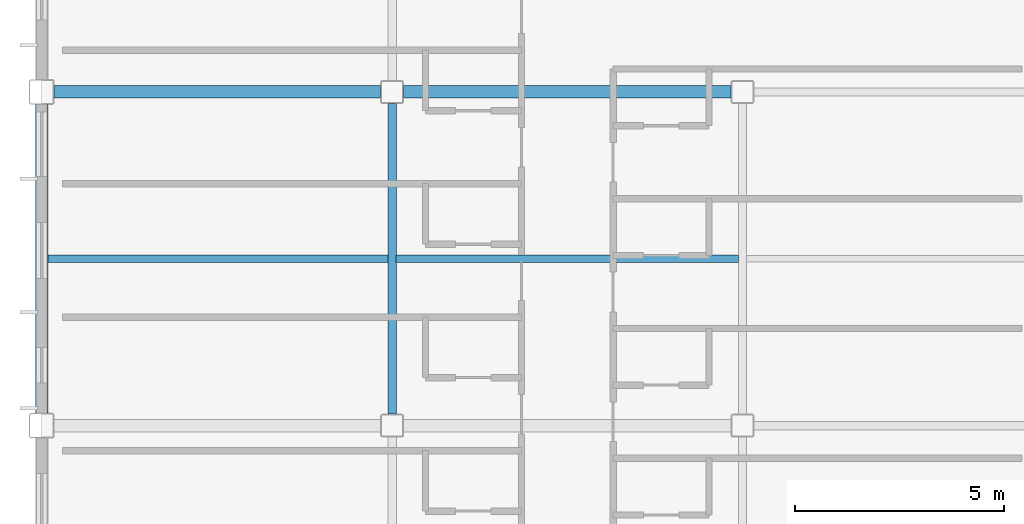
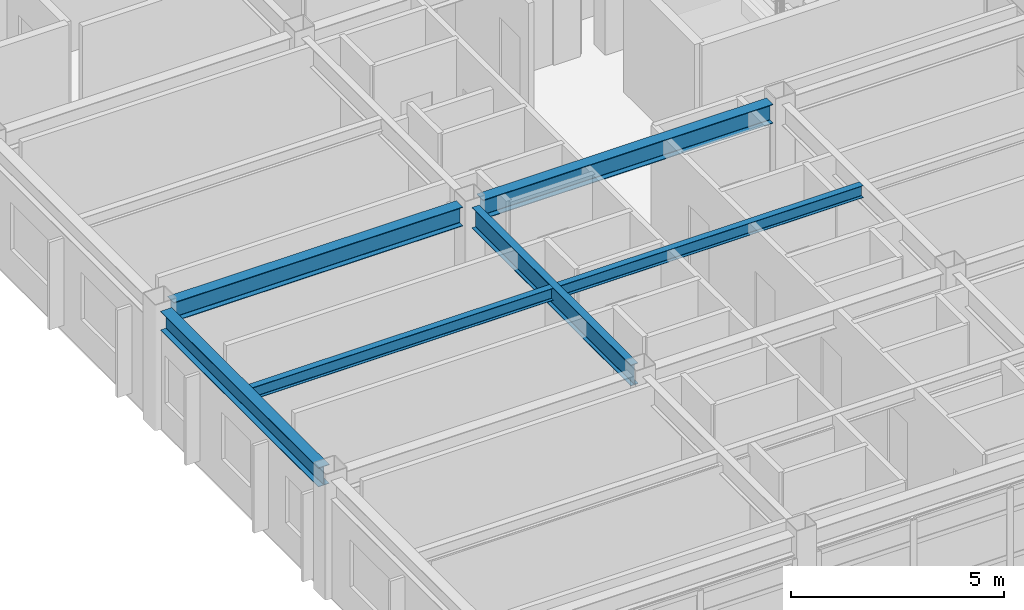
# One storey, part 5 of 38: 6 beams.
"""IFC4 building model written with IfcOpenShell, lengths in metres."""

from ifc_helpers import new_model, si_unit, direction, frame, origin, origin_2d, place, context, subcontext, project, spatial, i_section, extrude, material, material_profile, profile_set, type_object, element, save


model = new_model("IFC4")

# Units and contexts
model_context = context("Model", 3, precision=1e-05, world=origin(), true_north=direction((0.0, 1.0)))
body_context = subcontext(model_context, "Body", "Model", "MODEL_VIEW")
ifc_project = project(units=[si_unit("LENGTHUNIT", "METRE"), si_unit("AREAUNIT", "SQUARE_METRE"), si_unit("VOLUMEUNIT", "CUBIC_METRE"), si_unit("PLANEANGLEUNIT", "RADIAN"), si_unit("MASSUNIT", "GRAM", prefix="KILO")], contexts=[model_context])

# Site, building, storey
site_placement = place(None, origin())
site = spatial("IfcSite", under=ifc_project, at=site_placement, CompositionType="ELEMENT")
building_placement = place(site_placement, origin())
building = spatial("IfcBuilding", under=site, at=building_placement, Name="Kazehara Bluff Congress Hotel", CompositionType="ELEMENT")
storey_placement = place(building_placement, frame((0.0, 0.0, 24.60009765625)))
storey = spatial("IfcBuildingStorey", under=building, at=storey_placement, Name="L05", CompositionType="ELEMENT", Elevation=24.60009765625)

# Beams
ifc_material_1 = material(Name="Steel SN490B", Category="steel")
ifc_material_profile_1 = material_profile(ifc_material_1, i_section(OverallWidth=0.199951171875, OverallDepth=0.60009765625, WebThickness=0.010986328125, FlangeThickness=0.01708984375, FilletRadius=0.012939453125, at=origin_2d()))
ifc_profile_set_1 = profile_set([ifc_material_profile_1], Name="Steel SN490B")
beam_type_1 = type_object("IfcBeamType", Name="TP-G-02", PredefinedType="BEAM", material=ifc_profile_set_1)
beam_1_placement = place(storey_placement, frame((152.10009765625, 8.27490234375, 3.079833984375), z_axis=(0.0, 1.0, 0.0), x_axis=(-1.0, 0.0, 0.0)))
element("IfcBeam", 1, at=beam_1_placement, inside=storey, type_object=beam_type_1, Name="L05 girder G-02 14", PredefinedType="BEAM", context=body_context, shape_type="SweptSolid", body=[
    extrude(i_section(OverallWidth=0.199951171875, OverallDepth=0.60009765625, WebThickness=0.010986328125, FlangeThickness=0.01708984375, FilletRadius=0.012939453125, at=origin_2d()), origin(), (0.0, 0.0, 1.0), 7.4501953125),
])
ifc_material_2 = material(Name="Steel SN490B", Category="steel")
ifc_material_profile_2 = material_profile(ifc_material_2, i_section(OverallWidth=0.300048828125, OverallDepth=0.550048828125, WebThickness=0.010986328125, FlangeThickness=0.01806640625, FilletRadius=0.012939453125, at=origin_2d()))
ifc_profile_set_2 = profile_set([ifc_material_profile_2], Name="Steel SN490B")
beam_type_2 = type_object("IfcBeamType", Name="TP-G-12", PredefinedType="BEAM", material=ifc_profile_set_2)
beam_2_placement = place(storey_placement, frame((144.0, 16.0, 3.10498046875), z_axis=(1.0, 0.0, 0.0), x_axis=(0.0, 1.0, 0.0)))
element("IfcBeam", 2, at=beam_2_placement, inside=storey, type_object=beam_type_2, Name="L05 girder G-12 50", PredefinedType="BEAM", context=body_context, shape_type="SweptSolid", body=[
    extrude(i_section(OverallWidth=0.300048828125, OverallDepth=0.550048828125, WebThickness=0.010986328125, FlangeThickness=0.01806640625, FilletRadius=0.012939453125, at=origin_2d()), origin(), (0.0, 0.0, 1.0), 7.824951171875),
])
beam_3_placement = place(storey_placement, frame((152.375, 16.0, 3.10498046875), z_axis=(1.0, 0.0, 0.0), x_axis=(0.0, 1.0, 0.0)))
element("IfcBeam", 3, at=beam_3_placement, inside=storey, type_object=beam_type_2, Name="L05 girder G-12 51", PredefinedType="BEAM", context=body_context, shape_type="SweptSolid", body=[
    extrude(i_section(OverallWidth=0.300048828125, OverallDepth=0.550048828125, WebThickness=0.010986328125, FlangeThickness=0.01806640625, FilletRadius=0.012939453125, at=origin_2d()), origin(), (0.0, 0.0, 1.0), 7.85009765625),
])
ifc_material_3 = material(Name="Steel SN400B", Category="steel")
ifc_material_profile_3 = material_profile(ifc_material_3, i_section(OverallWidth=0.175048828125, OverallDepth=0.35009765625, WebThickness=0.007080078125, FlangeThickness=0.010986328125, FilletRadius=0.012939453125, at=origin_2d()))
ifc_profile_set_3 = profile_set([ifc_material_profile_3], Name="Steel SN400B")
beam_type_3 = type_object("IfcBeamType", Name="TP-J-02", PredefinedType="JOIST", material=ifc_profile_set_3)
beam_4_placement = place(storey_placement, frame((143.85009765625, 12.0, 3.204833984375), z_axis=(1.0, 0.0, 0.0), x_axis=(0.0, 1.0, 0.0)))
element("IfcBeam", 4, at=beam_4_placement, inside=storey, type_object=beam_type_3, Name="L05 secondary joist J-02 2", PredefinedType="JOIST", context=body_context, shape_type="SweptSolid", body=[
    extrude(i_section(OverallWidth=0.175048828125, OverallDepth=0.35009765625, WebThickness=0.007080078125, FlangeThickness=0.010986328125, FilletRadius=0.012939453125, at=origin_2d()), origin(), (0.0, 0.0, 1.0), 8.14990234375),
])
beam_5_placement = place(storey_placement, frame((152.199951171875, 12.0, 3.204833984375), z_axis=(1.0, 0.0, 0.0), x_axis=(0.0, 1.0, 0.0)))
element("IfcBeam", 5, at=beam_5_placement, inside=storey, type_object=beam_type_3, Name="L05 secondary joist J-02 11", PredefinedType="JOIST", context=body_context, shape_type="SweptSolid", body=[
    extrude(i_section(OverallWidth=0.175048828125, OverallDepth=0.35009765625, WebThickness=0.007080078125, FlangeThickness=0.010986328125, FilletRadius=0.012939453125, at=origin_2d()), origin(), (0.0, 0.0, 1.0), 8.199951171875),
])
ifc_material_4 = material(Name="Steel SN490B", Category="steel")
ifc_material_profile_4 = material_profile(ifc_material_4, i_section(OverallWidth=0.300048828125, OverallDepth=0.550048828125, WebThickness=0.010986328125, FlangeThickness=0.01806640625, FilletRadius=0.012939453125, at=origin_2d()))
ifc_profile_set_4 = profile_set([ifc_material_profile_4], Name="Steel SN490B")
beam_type_4 = type_object("IfcBeamType", Name="TP-SP-01", PredefinedType="SPANDREL", material=ifc_profile_set_4)
beam_6_placement = place(storey_placement, frame((143.699951171875, 8.300048828125, 3.10498046875), z_axis=(0.0, 1.0, 0.0), x_axis=(-1.0, 0.0, 0.0)))
element("IfcBeam", 6, at=beam_6_placement, inside=storey, type_object=beam_type_4, Name="L05 girder SP-01 2", PredefinedType="SPANDREL", context=body_context, shape_type="SweptSolid", body=[
    extrude(i_section(OverallWidth=0.300048828125, OverallDepth=0.550048828125, WebThickness=0.010986328125, FlangeThickness=0.01806640625, FilletRadius=0.012939453125, at=origin_2d()), origin(), (0.0, 0.0, 1.0), 7.39990234375),
])

save(model, "model.ifc")
